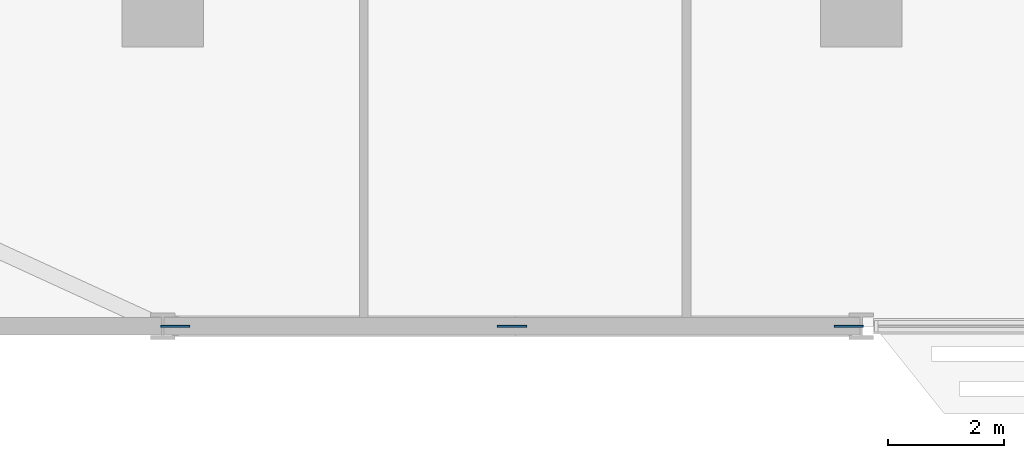
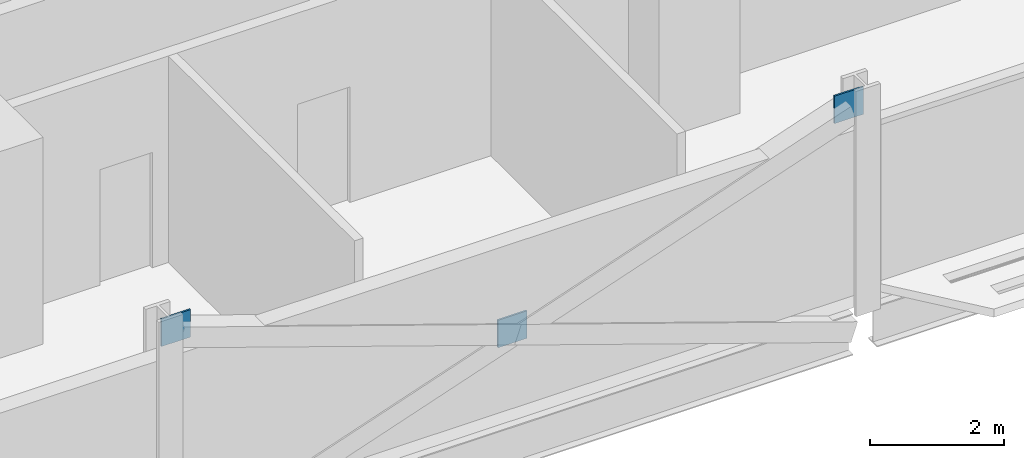
# One storey, part 19 of 29: 3 discrete accessories.
"""IFC4 building model written with IfcOpenShell, lengths in metres."""

from ifc_helpers import new_model, si_unit, direction, frame, origin, origin_2d, place, context, subcontext, project, spatial, rectangle, extrude, material, layer, layer_set, type_object, element, save


model = new_model("IFC4")

# Units and contexts
model_context = context("Model", 3, precision=1e-05, world=origin(), true_north=direction((0.0, 1.0)))
body_context = subcontext(model_context, "Body", "Model", "MODEL_VIEW")
ifc_project = project(units=[si_unit("LENGTHUNIT", "METRE"), si_unit("AREAUNIT", "SQUARE_METRE"), si_unit("VOLUMEUNIT", "CUBIC_METRE"), si_unit("PLANEANGLEUNIT", "RADIAN"), si_unit("MASSUNIT", "GRAM", prefix="KILO")], contexts=[model_context])

# Site, building, storey
site_placement = place(None, origin())
site = spatial("IfcSite", under=ifc_project, at=site_placement, CompositionType="ELEMENT")
building_placement = place(site_placement, origin())
building = spatial("IfcBuilding", under=site, at=building_placement, Name="Mahtab Terrace Research Tower", CompositionType="ELEMENT")
storey_placement = place(building_placement, frame((0.0, 0.0, 93.0)))
storey = spatial("IfcBuildingStorey", under=building, at=storey_placement, Name="L21", CompositionType="ELEMENT", Elevation=93.0)

# Discrete accessories
ifc_material = material(Name="Steel ASTM A992 Gr 50", Category="steel")
ifc_layer = layer(ifc_material, 0.030029296875)
ifc_layer_set = layer_set([ifc_layer], Name="Gusset plate 500x500x30")
discrete_accessory_type = type_object("IfcDiscreteAccessoryType", Name="Gusset plate 500x500x30", PredefinedType="USERDEFINED", material=ifc_layer_set)
for number, where, z_axis, x_axis, name in (
    (1, (-29.790283203125, -17.0, 3.131591796875), (0.0, 0.0, 1.0), (1.0, 0.0, 0.0), "Gusset plate"),
    (2, (-24.0, -17.0, 1.08154296875), (0.0, 0.0, 1.0), (1.0, 0.0, 0.0), "Gusset plate"),
    (3, (-18.209716796875, -17.0, 3.131591796875), (0.0, 0.0, 1.0), (1.0, 0.0, 0.0), "Gusset plate"),
):
    element("IfcDiscreteAccessory", number, at=place(storey_placement, frame(where, z_axis=z_axis, x_axis=x_axis)), inside=storey, type_object=discrete_accessory_type, Name=name, ObjectType="GUSSET PLATE", PredefinedType="USERDEFINED", context=body_context, shape_type="SweptSolid", body=[
        extrude(rectangle(XDim=0.5, YDim=0.030029296875, at=origin_2d()), origin(), (0.0, 0.0, 1.0), 0.5),
    ])

save(model, "model.ifc")
